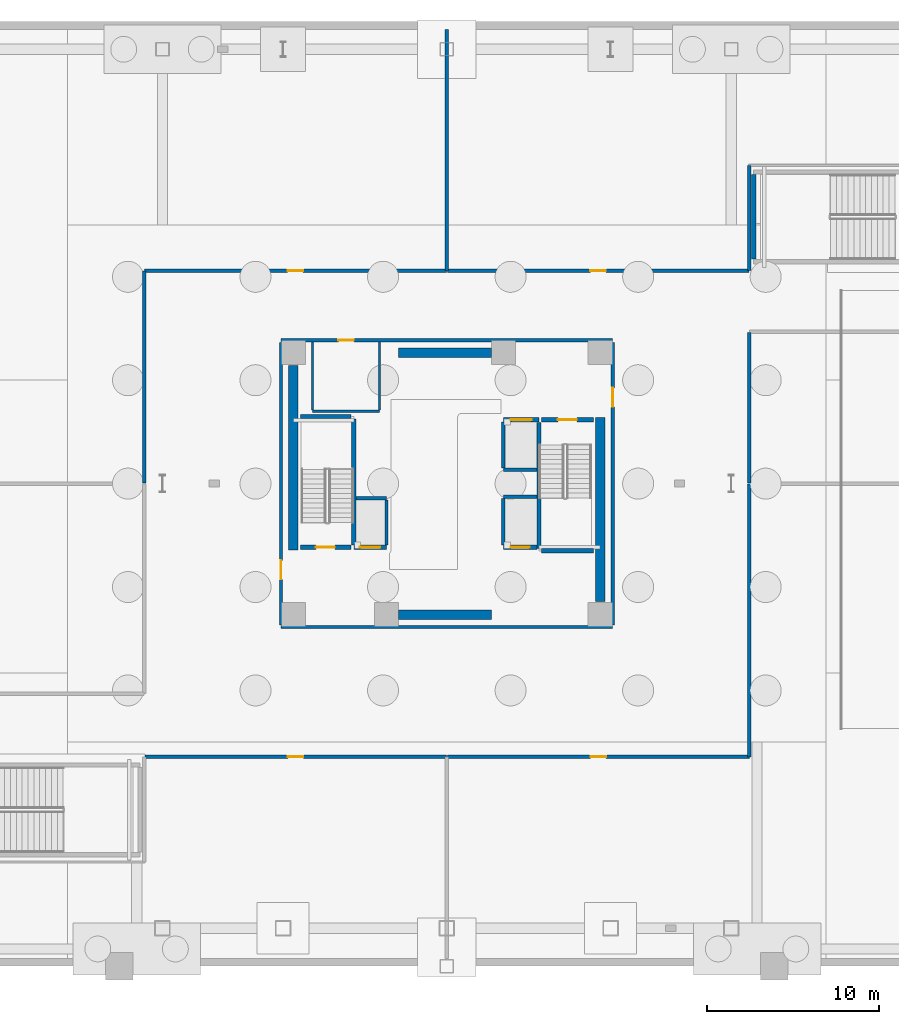
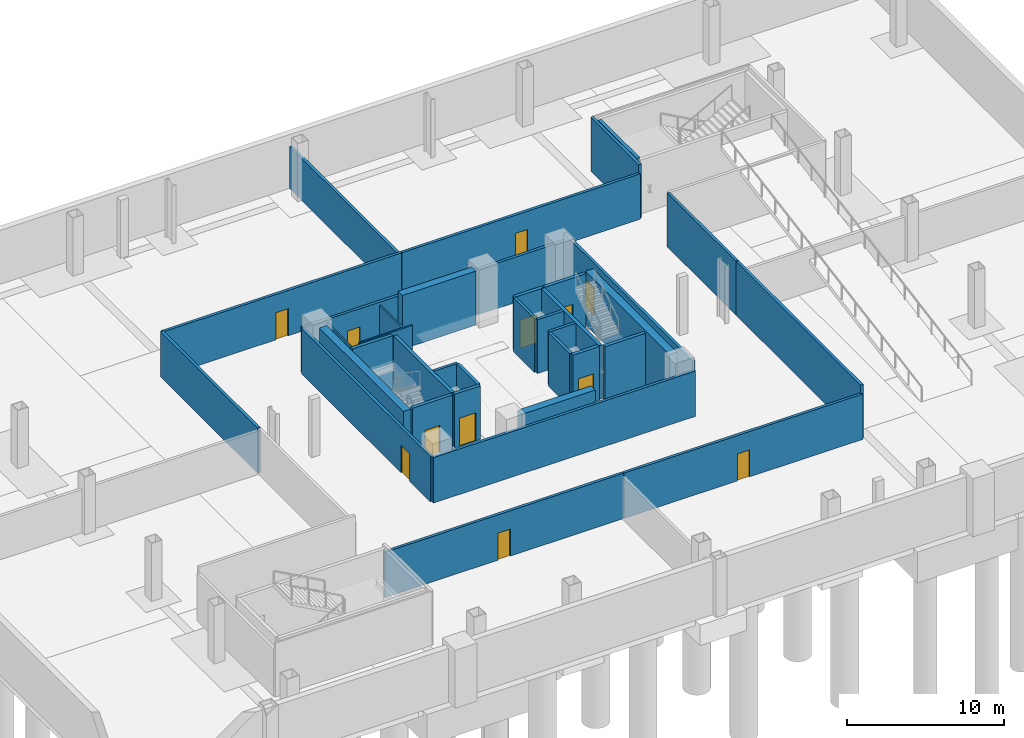
# One storey, part 8 of 15: 36 walls, 12 doors, 12 openings.
"""IFC4 building model written with IfcOpenShell, lengths in metres."""

import ifcopenshell
import ifcopenshell.guid

model = None  # the IFC model being written
_history = None  # IfcOwnerHistory: only IFC2X3 demands one
_inside = {}  # id of a spatial element -> (the spatial element, [elements in it])
_under = {}  # id of a project, library or spatial element -> (it, [spatial elements below it])
_declared = {}  # id of a project -> (the project, [libraries it declares])
_typed = {}  # id of a type object -> (the type object, [elements of that type])
_made_of = {}  # id of a material, layer set ... -> (it, [elements and type objects made of it])


def new_model(schema):
    """Start an empty IFC model of exactly this schema.

    Asked for "IFC4X3", IfcOpenShell would pick the latest addendum, in which some entities
    have other attributes; the version numbers below select the first issue.
    IFC2X3 requires an IfcOwnerHistory on every rooted entity: one is made here for all.
    """
    global model, _history
    if schema == "IFC4X3":
        model = ifcopenshell.file(schema_version=(4, 3, 0, 0))
    else:
        model = ifcopenshell.file(schema=schema)
    _inside.clear()
    _under.clear()
    _declared.clear()
    _typed.clear()
    _made_of.clear()
    _history = None
    if model.schema == "IFC2X3":
        org = make("IfcOrganization", Name="unknown")
        user = make(
            "IfcPersonAndOrganization",
            ThePerson=make("IfcPerson", FamilyName="unknown"),
            TheOrganization=org,
        )
        app = make(
            "IfcApplication",
            ApplicationDeveloper=org,
            Version="unknown",
            ApplicationFullName="unknown",
            ApplicationIdentifier="unknown",
        )
        _history = make(
            "IfcOwnerHistory",
            OwningUser=user,
            OwningApplication=app,
            ChangeAction="ADDED",
            CreationDate=0,
        )
    return model


def make(cls, **values):
    """One entity of the class cls with the attributes given. An attribute that is None is left unset."""
    return model.create_entity(
        cls, **{name: value for name, value in values.items() if value is not None}
    )


def rooted(cls, **values):
    """An entity with a GlobalId (a new one), such as an element, a storey or a relation."""
    return make(cls, GlobalId=ifcopenshell.guid.new(), OwnerHistory=_history, **values)


def si_unit(unit_type, name, prefix=None):
    """IfcSIUnit, for example si_unit("LENGTHUNIT", "METRE", prefix="MILLI")."""
    return make("IfcSIUnit", UnitType=unit_type, Prefix=prefix, Name=name)


def assignment(units):
    """IfcUnitAssignment: the units of a project."""
    return None if units is None else make("IfcUnitAssignment", Units=units)


def point(xyz):
    """IfcCartesianPoint."""
    return None if xyz is None else make("IfcCartesianPoint", Coordinates=xyz)


def direction(xyz):
    """IfcDirection."""
    return None if xyz is None else make("IfcDirection", DirectionRatios=xyz)


def frame(location, z_axis=None, x_axis=None):
    """IfcAxis2Placement3D, a coordinate frame: its origin and axes. An axis left out is left unset."""
    return make(
        "IfcAxis2Placement3D",
        Location=point(location),
        Axis=direction(z_axis),
        RefDirection=direction(x_axis),
    )


def frame_2d(location, x_axis=None):
    """IfcAxis2Placement2D, a coordinate frame in the plane: its origin and x axis."""
    return make(
        "IfcAxis2Placement2D", Location=point(location), RefDirection=direction(x_axis)
    )


def origin():
    """The frame at (0, 0, 0) with its axes left unset."""
    return frame((0.0, 0.0, 0.0))


def place(relative_to, where):
    """IfcLocalPlacement: puts the frame where relative to a parent placement (None: the world)."""
    return make(
        "IfcLocalPlacement", PlacementRelTo=relative_to, RelativePlacement=where
    )


def context(
    kind, dimensions, precision=None, world=None, true_north=None, identifier=None
):
    """IfcGeometricRepresentationContext, for example the 3D "Model" context."""
    return make(
        "IfcGeometricRepresentationContext",
        ContextIdentifier=identifier,
        ContextType=kind,
        CoordinateSpaceDimension=dimensions,
        Precision=precision,
        WorldCoordinateSystem=world,
        TrueNorth=true_north,
    )


def subcontext(parent, identifier, kind, view, scale=None):
    """IfcGeometricRepresentationSubContext, for example "Body" below "Model"."""
    return make(
        "IfcGeometricRepresentationSubContext",
        ContextIdentifier=identifier,
        ContextType=kind,
        ParentContext=parent,
        TargetScale=scale,
        TargetView=view,
    )


def project(units=None, contexts=None):
    """IfcProject with its units and contexts."""
    return rooted(
        "IfcProject",
        Name="project",
        RepresentationContexts=contexts,
        UnitsInContext=assignment(units),
    )


def spatial(cls, under=None, at=None, **own):
    """A site, building, storey or space (cls), placed at a placement, below another one or the project."""
    s = rooted(cls, ObjectPlacement=at, **own)
    if under is not None:
        _under.setdefault(under.id(), (under, []))[1].append(s)
    return s


def profile(cls, at=None, kind="AREA", **sizes):
    """A parametric profile (cls). Its sizes go by their IFC names, for example OverallWidth=200.0."""
    return make(cls, ProfileType=kind, Position=at, **sizes)


def rectangle(**sizes):
    """IfcRectangleProfileDef."""
    return profile("IfcRectangleProfileDef", **sizes)


def extrude(swept, where, along, depth):
    """IfcExtrudedAreaSolid: the profile swept, set in the frame where, extruded along a direction by depth."""
    return make(
        "IfcExtrudedAreaSolid",
        SweptArea=swept,
        Position=where,
        ExtrudedDirection=direction(along),
        Depth=depth,
    )


def shape(context_of_items, identifier, shape_type, items):
    """IfcShapeRepresentation: the items that make up one representation, for example the "Body"."""
    return make(
        "IfcShapeRepresentation",
        ContextOfItems=context_of_items,
        RepresentationIdentifier=identifier,
        RepresentationType=shape_type,
        Items=items,
    )


def material(Name=None, Category=None):
    """IfcMaterial."""
    return make("IfcMaterial", Name=Name, Category=Category)


def layer(
    of_material, thickness, ventilated=None, Name=None, Category=None, Priority=None
):
    """IfcMaterialLayer: one layer of a wall or slab, of a material (None: an air gap)."""
    return make(
        "IfcMaterialLayer",
        Material=of_material,
        LayerThickness=thickness,
        IsVentilated=ventilated,
        Name=Name,
        Category=Category,
        Priority=Priority,
    )


def layer_set(layers, Name=None):
    """IfcMaterialLayerSet."""
    return make("IfcMaterialLayerSet", MaterialLayers=layers, LayerSetName=Name)


def made_of(thing, what):
    """Note that an element or type object is made of a material, layer set ...; save() writes the relation."""
    if what is not None:
        _made_of.setdefault(what.id(), (what, []))[1].append(thing)
    return thing


def type_object(cls, material=None, **own):
    """A type object (cls), such as IfcWallType, which elements share."""
    return made_of(rooted(cls, **own), material)


def element(
    cls,
    number,
    at=None,
    inside=None,
    cuts=None,
    type_object=None,
    material=None,
    context=None,
    identifier="Body",
    shape_type=None,
    held_by="IfcProductDefinitionShape",
    body=None,
    shapes=None,
    **own,
):
    """One element of the class cls, such as IfcWall. Its Tag is "e" and its number.

    at: its placement. inside: the storey or other place that contains it. cuts: it is an
    opening in that element (IfcRelVoidsElement). A single representation is given by context,
    identifier, shape_type and body (its items); several are given by shapes. held_by: the class
    of the entity that holds the representations. save() writes the other relations.
    """
    e = rooted(cls, Tag="e%d" % number, ObjectPlacement=at, **own)
    if body is not None:
        shapes = [shape(context, identifier, shape_type, body)]
    if shapes is not None:
        e.Representation = make(held_by, Representations=shapes)
    if inside is not None:
        _inside.setdefault(inside.id(), (inside, []))[1].append(e)
    if cuts is not None:
        rooted(
            "IfcRelVoidsElement", RelatingBuildingElement=cuts, RelatedOpeningElement=e
        )
    if type_object is not None:
        _typed.setdefault(type_object.id(), (type_object, []))[1].append(e)
    return made_of(e, material)


def fill(opening, filler):
    """IfcRelFillsElement: the door or window that sits in an opening."""
    return rooted(
        "IfcRelFillsElement",
        RelatingOpeningElement=opening,
        RelatedBuildingElement=filler,
    )


def aggregate(whole, parts):
    """IfcRelAggregates: a whole, such as a stair, and the parts it consists of."""
    return rooted("IfcRelAggregates", RelatingObject=whole, RelatedObjects=parts)


def save(model, path):
    """Write the relations noted so far, then the file.

    IfcRelAggregates (storeys below a building ...), IfcRelContainedInSpatialStructure (elements
    in a storey), IfcRelDefinesByType, IfcRelAssociatesMaterial and IfcRelDeclares: one each for
    every whole, place, type object, material and project.
    """
    for whole, parts in _under.values():
        aggregate(whole, parts)
    for where, things in _inside.values():
        rooted(
            "IfcRelContainedInSpatialStructure",
            RelatedElements=things,
            RelatingStructure=where,
        )
    for kind, things in _typed.values():
        rooted("IfcRelDefinesByType", RelatedObjects=things, RelatingType=kind)
    for what, things in _made_of.values():
        rooted("IfcRelAssociatesMaterial", RelatedObjects=things, RelatingMaterial=what)
    for by, libraries in _declared.values():
        rooted("IfcRelDeclares", RelatingContext=by, RelatedDefinitions=libraries)
    model.write(path)


model = new_model("IFC4")

# Units and contexts
model_context = context("Model", 3, precision=1e-05, world=origin(), true_north=direction((0.0, 1.0)))
body_context = subcontext(model_context, "Body", "Model", "MODEL_VIEW")
ifc_project = project(units=[si_unit("LENGTHUNIT", "METRE"), si_unit("AREAUNIT", "SQUARE_METRE"), si_unit("VOLUMEUNIT", "CUBIC_METRE"), si_unit("PLANEANGLEUNIT", "RADIAN"), si_unit("MASSUNIT", "GRAM", prefix="KILO")], contexts=[model_context])

# Site, building, storey
site_placement = place(None, origin())
site = spatial("IfcSite", under=ifc_project, at=site_placement, CompositionType="ELEMENT")
building_placement = place(site_placement, origin())
building = spatial("IfcBuilding", under=site, at=building_placement, Name="Tharavind Bronze Gate", CompositionType="ELEMENT")
storey_placement = place(building_placement, frame((0.0, 0.0, -9.0)))
storey = spatial("IfcBuildingStorey", under=building, at=storey_placement, Name="B02", CompositionType="ELEMENT", Elevation=-9.0)

# Wall
ifc_material_1 = material(Name="Aerated Concrete Block", Category="concrete")
ifc_layer_1 = layer(ifc_material_1, 0.199951171875)
ifc_layer_set_1 = layer_set([ifc_layer_1], Name="Aerated Concrete Block")
wall_type_1 = type_object("IfcWallType", Name="FIRE RATED PARTITION 200", PredefinedType="PARTITIONING", material=ifc_layer_set_1)
wall_1_placement = place(storey_placement, frame((-9.6201171875, -8.320068359375, 0.0), z_axis=(0.0, 0.0, 1.0), x_axis=(1.0, 0.0, 0.0)))
element("IfcWall", 1, at=wall_1_placement, inside=storey, type_object=wall_type_1, Name="B02 south core corridor wall", PredefinedType="PARTITIONING", context=body_context, shape_type="SweptSolid", body=[
    extrude(rectangle(XDim=19.240234375, YDim=0.199951171875, at=frame_2d((9.6201171875, 0.0))), origin(), (0.0, 0.0, 1.0), 3.52001953125),
])

# Wall, opening, door
wall_2_placement = place(storey_placement, frame((9.6201171875, 8.320068359375, 0.0), z_axis=(0.0, 0.0, 1.0), x_axis=(-1.0, 0.0, 0.0)))
wall_2 = element("IfcWall", 2, at=wall_2_placement, inside=storey, type_object=wall_type_1, Name="B02 north core corridor wall", PredefinedType="PARTITIONING", context=body_context, shape_type="SweptSolid", body=[
    extrude(rectangle(XDim=19.240234375, YDim=0.199951171875, at=frame_2d((9.6201171875, 0.0))), origin(), (0.0, 0.0, 1.0), 3.52001953125),
])
opening_1_placement = place(wall_2_placement, frame((15.02001953125, 0.0, 0.0)))
opening_1 = element("IfcOpeningElement", 3, at=opening_1_placement, cuts=wall_2, Name="Opening ID07", PredefinedType="OPENING", context=body_context, shape_type="SweptSolid", body=[
    extrude(rectangle(XDim=0.89990234375, YDim=2.10009765625, at=frame_2d((0.449951171875, 1.050048828125))), frame((0.0, 0.11009765625, 0.0), z_axis=(0.0, -1.0, 0.0), x_axis=(1.0, 0.0, 0.0)), (0.0, 0.0, 1.0), 0.219951171875),
])
ifc_material_2 = material(Name="Galvanised Fire Steel", Category="steel")
door_type_1 = type_object("IfcDoorType", Name="PLANT AND RISER FIRE DOOR 900X2100", OperationType="SINGLE_SWING_LEFT", PredefinedType="DOOR", material=ifc_material_2)
door_1_placement = place(opening_1_placement, frame((0.89990234375, 0.0, 0.0), z_axis=(0.0, 0.0, 1.0), x_axis=(-1.0, 0.0, 0.0)))
door_1 = element("IfcDoor", 4, at=door_1_placement, inside=storey, type_object=door_type_1, Name="B02 Electrical Switch Room fire door", OperationType="SINGLE_SWING_LEFT", OverallHeight=2.10009765625, OverallWidth=0.89990234375, PredefinedType="DOOR", context=body_context, shape_type="SweptSolid", body=[
    extrude(rectangle(XDim=0.89990234375, YDim=2.10009765625, at=frame_2d((0.449951171875, 1.050048828125))), frame((0.0, 0.02490234375, 0.0), z_axis=(0.0, -1.0, 0.0), x_axis=(1.0, 0.0, 0.0)), (0.0, 0.0, 1.0), 0.050048828125),
])
fill(opening_1, door_1)

wall_3_placement = place(storey_placement, frame((-9.6201171875, 8.199951171875, 0.0), z_axis=(0.0, 0.0, 1.0), x_axis=(0.0, -1.0, 0.0)))
wall_3 = element("IfcWall", 5, at=wall_3_placement, inside=storey, type_object=wall_type_1, Name="B02 west core corridor wall", PredefinedType="PARTITIONING", context=body_context, shape_type="SweptSolid", body=[
    extrude(rectangle(XDim=16.39990234375, YDim=0.199951171875, at=frame_2d((8.199951171875, 0.0))), origin(), (0.0, 0.0, 1.0), 3.52001953125),
])
opening_2_placement = place(wall_3_placement, frame((12.64990234375, 0.0, 0.0)))
opening_2 = element("IfcOpeningElement", 6, at=opening_2_placement, cuts=wall_3, Name="Opening ID01", PredefinedType="OPENING", context=body_context, shape_type="SweptSolid", body=[
    extrude(rectangle(XDim=1.10009765625, YDim=2.14990234375, at=frame_2d((0.550048828125, 1.074951171875))), frame((0.0, 0.11009765625, 0.0), z_axis=(0.0, -1.0, 0.0), x_axis=(1.0, 0.0, 0.0)), (0.0, 0.0, 1.0), 0.219951171875),
])
ifc_material_3 = material(Name="Fire-Rated Steel", Category="steel")
door_type_2 = type_object("IfcDoorType", Name="STAIR CORE FIRE DOOR 1100X2150", OperationType="SINGLE_SWING_LEFT", PredefinedType="DOOR", material=ifc_material_3)
door_2_placement = place(opening_2_placement, frame((1.10009765625, 0.0, 0.0), z_axis=(0.0, 0.0, 1.0), x_axis=(-1.0, 0.0, 0.0)))
door_2 = element("IfcDoor", 7, at=door_2_placement, inside=storey, type_object=door_type_2, Name="B02 south west stair lobby fire door", OperationType="SINGLE_SWING_LEFT", OverallHeight=2.14990234375, OverallWidth=1.10009765625, PredefinedType="DOOR", context=body_context, shape_type="SweptSolid", body=[
    extrude(rectangle(XDim=1.10009765625, YDim=2.14990234375, at=frame_2d((0.550048828125, 1.074951171875))), frame((0.0, 0.02490234375, 0.0), z_axis=(0.0, -1.0, 0.0), x_axis=(1.0, 0.0, 0.0)), (0.0, 0.0, 1.0), 0.050048828125),
])
fill(opening_2, door_2)

wall_4_placement = place(storey_placement, frame((9.6201171875, -8.199951171875, 0.0), z_axis=(0.0, 0.0, 1.0), x_axis=(0.0, 1.0, 0.0)))
wall_4 = element("IfcWall", 8, at=wall_4_placement, inside=storey, type_object=wall_type_1, Name="B02 east core corridor wall", PredefinedType="PARTITIONING", context=body_context, shape_type="SweptSolid", body=[
    extrude(rectangle(XDim=16.39990234375, YDim=0.199951171875, at=frame_2d((8.199951171875, 0.0))), origin(), (0.0, 0.0, 1.0), 4.175048828125),
])
opening_3_placement = place(wall_4_placement, frame((12.64990234375, 0.0, 0.0)))
opening_3 = element("IfcOpeningElement", 9, at=opening_3_placement, cuts=wall_4, Name="Opening ID01", PredefinedType="OPENING", context=body_context, shape_type="SweptSolid", body=[
    extrude(rectangle(XDim=1.10009765625, YDim=2.14990234375, at=frame_2d((0.550048828125, 1.074951171875))), frame((0.0, 0.11009765625, 0.0), z_axis=(0.0, -1.0, 0.0), x_axis=(1.0, 0.0, 0.0)), (0.0, 0.0, 1.0), 0.219951171875),
])
door_3_placement = place(opening_3_placement, frame((1.10009765625, 0.0, 0.0), z_axis=(0.0, 0.0, 1.0), x_axis=(-1.0, 0.0, 0.0)))
door_3 = element("IfcDoor", 10, at=door_3_placement, inside=storey, type_object=door_type_2, Name="B02 north east stair lobby fire door", OperationType="SINGLE_SWING_LEFT", OverallHeight=2.14990234375, OverallWidth=1.10009765625, PredefinedType="DOOR", context=body_context, shape_type="SweptSolid", body=[
    extrude(rectangle(XDim=1.10009765625, YDim=2.14990234375, at=frame_2d((0.550048828125, 1.074951171875))), frame((0.0, 0.02490234375, 0.0), z_axis=(0.0, -1.0, 0.0), x_axis=(1.0, 0.0, 0.0)), (0.0, 0.0, 1.0), 0.050048828125),
])
fill(opening_3, door_3)

# Wall
wall_5_placement = place(storey_placement, frame((17.550048828125, 18.449462890625, 0.0), z_axis=(0.0, 0.0, 1.0), x_axis=(0.0, -1.0, 0.0)))
element("IfcWall", 11, at=wall_5_placement, inside=storey, type_object=wall_type_1, Name="B02 Chiller & Heat Rejection Plant Hall partition", PredefinedType="PARTITIONING", context=body_context, shape_type="SweptSolid", body=[
    extrude(rectangle(XDim=6.074462890625, YDim=0.199951171875, at=frame_2d((3.037109375, 0.0))), origin(), (0.0, 0.0, 1.0), 4.175048828125),
])

# Wall, opening, door
wall_6_placement = place(storey_placement, frame((17.52490234375, 12.35009765625, 0.0), z_axis=(0.0, 0.0, 1.0), x_axis=(-1.0, 0.0, 0.0)))
wall_6 = element("IfcWall", 12, at=wall_6_placement, inside=storey, type_object=wall_type_1, Name="B02 Chiller & Heat Rejection Plant Hall partition", PredefinedType="PARTITIONING", context=body_context, shape_type="SweptSolid", body=[
    extrude(rectangle(XDim=17.5, YDim=0.199951171875, at=frame_2d((8.75, 0.0))), origin(), (0.0, 0.0, 1.0), 3.52001953125),
])
opening_4_placement = place(wall_6_placement, frame((8.300048828125, 0.0, 0.0)))
opening_4 = element("IfcOpeningElement", 13, at=opening_4_placement, cuts=wall_6, Name="Opening ID07", PredefinedType="OPENING", context=body_context, shape_type="SweptSolid", body=[
    extrude(rectangle(XDim=0.89990234375, YDim=2.10009765625, at=frame_2d((0.449951171875, 1.050048828125))), frame((0.0, 0.11009765625, 0.0), z_axis=(0.0, -1.0, 0.0), x_axis=(1.0, 0.0, 0.0)), (0.0, 0.0, 1.0), 0.219951171875),
])
door_4_placement = place(opening_4_placement, origin())
door_4 = element("IfcDoor", 14, at=door_4_placement, inside=storey, type_object=door_type_1, Name="B02 Chiller & Heat Rejection Plant Hall door", OperationType="SINGLE_SWING_LEFT", OverallHeight=2.10009765625, OverallWidth=0.89990234375, PredefinedType="DOOR", context=body_context, shape_type="SweptSolid", body=[
    extrude(rectangle(XDim=0.89990234375, YDim=2.10009765625, at=frame_2d((0.449951171875, 1.050048828125))), frame((0.0, 0.02490234375, 0.0), z_axis=(0.0, -1.0, 0.0), x_axis=(1.0, 0.0, 0.0)), (0.0, 0.0, 1.0), 0.050048828125),
])
fill(opening_4, door_4)

# Walls
wall_7_placement = place(storey_placement, frame((0.0, 12.375, 0.0), z_axis=(0.0, 0.0, 1.0), x_axis=(0.0, 1.0, 0.0)))
element("IfcWall", 15, at=wall_7_placement, inside=storey, type_object=wall_type_1, Name="B02 Chiller & Heat Rejection Plant Hall partition", PredefinedType="PARTITIONING", context=body_context, shape_type="SweptSolid", body=[
    extrude(rectangle(XDim=13.969970703125, YDim=0.199951171875, at=frame_2d((6.98486328125, 0.0))), origin(), (0.0, 0.0, 1.0), 3.27001953125),
])
wall_8_placement = place(storey_placement, frame((17.550048828125, 0.02490234375, 0.0), z_axis=(0.0, 0.0, 1.0), x_axis=(0.0, 1.0, 0.0)))
element("IfcWall", 16, at=wall_8_placement, inside=storey, type_object=wall_type_1, Name="B02 Chiller & Heat Rejection Plant Hall partition", PredefinedType="PARTITIONING", context=body_context, shape_type="SweptSolid", body=[
    extrude(rectangle(XDim=8.75, YDim=0.199951171875, at=frame_2d((4.375, 0.0))), origin(), (0.0, 0.0, 1.0), 4.175048828125),
])

# Wall, opening, door
wall_9_placement = place(storey_placement, frame((-0.02490234375, 12.35009765625, 0.0), z_axis=(0.0, 0.0, 1.0), x_axis=(-1.0, 0.0, 0.0)))
wall_9 = element("IfcWall", 17, at=wall_9_placement, inside=storey, type_object=wall_type_1, Name="B02 HV Transformer & Substation Room partition", PredefinedType="PARTITIONING", context=body_context, shape_type="SweptSolid", body=[
    extrude(rectangle(XDim=17.5244140625, YDim=0.199951171875, at=frame_2d((8.76220703125, 0.0))), origin(), (0.0, 0.0, 1.0), 3.52001953125),
])
opening_5_placement = place(wall_9_placement, frame((8.31201171875, 0.0, 0.0)))
opening_5 = element("IfcOpeningElement", 18, at=opening_5_placement, cuts=wall_9, Name="Opening ID07", PredefinedType="OPENING", context=body_context, shape_type="SweptSolid", body=[
    extrude(rectangle(XDim=0.89990234375, YDim=2.10009765625, at=frame_2d((0.449951171875, 1.050048828125))), frame((0.0, 0.11009765625, 0.0), z_axis=(0.0, -1.0, 0.0), x_axis=(1.0, 0.0, 0.0)), (0.0, 0.0, 1.0), 0.219951171875),
])
door_5_placement = place(opening_5_placement, origin())
door_5 = element("IfcDoor", 19, at=door_5_placement, inside=storey, type_object=door_type_1, Name="B02 HV Transformer & Substation Room door", OperationType="SINGLE_SWING_LEFT", OverallHeight=2.10009765625, OverallWidth=0.89990234375, PredefinedType="DOOR", context=body_context, shape_type="SweptSolid", body=[
    extrude(rectangle(XDim=0.89990234375, YDim=2.10009765625, at=frame_2d((0.449951171875, 1.050048828125))), frame((0.0, 0.02490234375, 0.0), z_axis=(0.0, -1.0, 0.0), x_axis=(1.0, 0.0, 0.0)), (0.0, 0.0, 1.0), 0.050048828125),
])
fill(opening_5, door_5)

# Wall
wall_10_placement = place(storey_placement, frame((-17.550048828125, 12.349365234375, 0.0), z_axis=(0.0, 0.0, 1.0), x_axis=(0.0, -1.0, 0.0)))
element("IfcWall", 20, at=wall_10_placement, inside=storey, type_object=wall_type_1, Name="B02 HV Transformer & Substation Room partition", PredefinedType="PARTITIONING", context=body_context, shape_type="SweptSolid", body=[
    extrude(rectangle(XDim=12.324462890625, YDim=0.199951171875, at=frame_2d((6.162109375, 0.0))), origin(), (0.0, 0.0, 1.0), 3.52001953125),
])

# Wall, opening, door
wall_11_placement = place(storey_placement, frame((-17.52490234375, -15.85009765625, 0.0), z_axis=(0.0, 0.0, 1.0), x_axis=(1.0, 0.0, 0.0)))
wall_11 = element("IfcWall", 21, at=wall_11_placement, inside=storey, type_object=wall_type_1, Name="B02 Domestic & Fire Water Tank Hall partition", PredefinedType="PARTITIONING", context=body_context, shape_type="SweptSolid", body=[
    extrude(rectangle(XDim=17.5, YDim=0.199951171875, at=frame_2d((8.75, 0.0))), origin(), (0.0, 0.0, 1.0), 3.52001953125),
])
opening_6_placement = place(wall_11_placement, frame((8.300048828125, 0.0, 0.0)))
opening_6 = element("IfcOpeningElement", 22, at=opening_6_placement, cuts=wall_11, Name="Opening ID07", PredefinedType="OPENING", context=body_context, shape_type="SweptSolid", body=[
    extrude(rectangle(XDim=0.89990234375, YDim=2.10009765625, at=frame_2d((0.449951171875, 1.050048828125))), frame((0.0, 0.11009765625, 0.0), z_axis=(0.0, -1.0, 0.0), x_axis=(1.0, 0.0, 0.0)), (0.0, 0.0, 1.0), 0.219951171875),
])
door_6_placement = place(opening_6_placement, origin())
door_6 = element("IfcDoor", 23, at=door_6_placement, inside=storey, type_object=door_type_1, Name="B02 Domestic & Fire Water Tank Hall door", OperationType="SINGLE_SWING_LEFT", OverallHeight=2.10009765625, OverallWidth=0.89990234375, PredefinedType="DOOR", context=body_context, shape_type="SweptSolid", body=[
    extrude(rectangle(XDim=0.89990234375, YDim=2.10009765625, at=frame_2d((0.449951171875, 1.050048828125))), frame((0.0, 0.02490234375, 0.0), z_axis=(0.0, -1.0, 0.0), x_axis=(1.0, 0.0, 0.0)), (0.0, 0.0, 1.0), 0.050048828125),
])
fill(opening_6, door_6)

# Wall
wall_12_placement = place(storey_placement, frame((17.550048828125, -15.849365234375, 0.0), z_axis=(0.0, 0.0, 1.0), x_axis=(0.0, 1.0, 0.0)))
element("IfcWall", 24, at=wall_12_placement, inside=storey, type_object=wall_type_1, Name="B02 Emergency Generator Plant Room partition", PredefinedType="PARTITIONING", context=body_context, shape_type="SweptSolid", body=[
    extrude(rectangle(XDim=15.824462890625, YDim=0.199951171875, at=frame_2d((7.912109375, 0.0))), origin(), (0.0, 0.0, 1.0), 4.175048828125),
])

# Wall, opening, door
wall_13_placement = place(storey_placement, frame((0.02490234375, -15.85009765625, 0.0), z_axis=(0.0, 0.0, 1.0), x_axis=(1.0, 0.0, 0.0)))
wall_13 = element("IfcWall", 25, at=wall_13_placement, inside=storey, type_object=wall_type_1, Name="B02 Emergency Generator Plant Room partition", PredefinedType="PARTITIONING", context=body_context, shape_type="SweptSolid", body=[
    extrude(rectangle(XDim=17.5244140625, YDim=0.199951171875, at=frame_2d((8.76220703125, 0.0))), origin(), (0.0, 0.0, 1.0), 3.52001953125),
])
opening_7_placement = place(wall_13_placement, frame((8.31201171875, 0.0, 0.0)))
opening_7 = element("IfcOpeningElement", 26, at=opening_7_placement, cuts=wall_13, Name="Opening ID07", PredefinedType="OPENING", context=body_context, shape_type="SweptSolid", body=[
    extrude(rectangle(XDim=0.89990234375, YDim=2.10009765625, at=frame_2d((0.449951171875, 1.050048828125))), frame((0.0, 0.11009765625, 0.0), z_axis=(0.0, -1.0, 0.0), x_axis=(1.0, 0.0, 0.0)), (0.0, 0.0, 1.0), 0.219951171875),
])
door_7_placement = place(opening_7_placement, origin())
door_7 = element("IfcDoor", 27, at=door_7_placement, inside=storey, type_object=door_type_1, Name="B02 Emergency Generator Plant Room door", OperationType="SINGLE_SWING_LEFT", OverallHeight=2.10009765625, OverallWidth=0.89990234375, PredefinedType="DOOR", context=body_context, shape_type="SweptSolid", body=[
    extrude(rectangle(XDim=0.89990234375, YDim=2.10009765625, at=frame_2d((0.449951171875, 1.050048828125))), frame((0.0, 0.02490234375, 0.0), z_axis=(0.0, -1.0, 0.0), x_axis=(1.0, 0.0, 0.0)), (0.0, 0.0, 1.0), 0.050048828125),
])
fill(opening_7, door_7)

# Walls
ifc_material_4 = material(Name="Metal Stud Gypsum Partition", Category="gypsum")
ifc_layer_2 = layer(ifc_material_4, 0.1201171875)
ifc_layer_set_2 = layer_set([ifc_layer_2], Name="Metal Stud Gypsum Partition")
wall_type_2 = type_object("IfcWallType", Name="INTERIOR PARTITION WALL 120", PredefinedType="PARTITIONING", material=ifc_layer_set_2)
wall_14_placement = place(storey_placement, frame((-7.800048828125, 4.199951171875, 0.0), z_axis=(0.0, 0.0, 1.0), x_axis=(1.0, 0.0, 0.0)))
element("IfcWall", 28, at=wall_14_placement, inside=storey, type_object=wall_type_2, Name="B02 Electrical Switch Room partition 1", PredefinedType="PARTITIONING", context=body_context, shape_type="SweptSolid", body=[
    extrude(rectangle(XDim=3.900146484375, YDim=0.1201171875, at=frame_2d((1.9501953125, 0.0))), origin(), (0.0, 0.0, 1.0), 4.175048828125),
])
for number, where, z_axis, x_axis, name in (
    (29, (-3.89990234375, 4.264892578125, 0.0), (0.0, 0.0, 1.0), (0.0, 1.0, 0.0), "B02 Electrical Switch Room partition 2"),
    (30, (-7.800048828125, 8.215087890625, 0.0), (0.0, 0.0, 1.0), (0.0, -1.0, 0.0), "B02 Electrical Switch Room partition 4"),
):
    element("IfcWall", number, at=place(storey_placement, frame(where, z_axis=z_axis, x_axis=x_axis)), inside=storey, type_object=wall_type_2, Name=name, PredefinedType="PARTITIONING", context=body_context, shape_type="SweptSolid", body=[
        extrude(rectangle(XDim=3.9501953125, YDim=0.1201171875, at=frame_2d((1.97509765625, 0.0))), origin(), (0.0, 0.0, 1.0), 3.27001953125),
    ])
ifc_material_5 = material(Name="Concrete C50/60", Category="concrete")
ifc_layer_3 = layer(ifc_material_5, 0.25)
ifc_layer_set_3 = layer_set([ifc_layer_3], Name="Concrete C50/60")
wall_type_3 = type_object("IfcWallType", Name="RC CORE SHEAR WALL 250", PredefinedType="SHEAR", material=ifc_layer_set_3)
wall_15_placement = place(storey_placement, frame((-5.39990234375, -3.550048828125, 0.0), z_axis=(0.0, 0.0, 1.0), x_axis=(0.0, 1.0, 0.0)))
element("IfcWall", 31, at=wall_15_placement, inside=storey, type_object=wall_type_3, Name="B02 ST1 shaft east wall", PredefinedType="SHEAR", context=body_context, shape_type="SweptSolid", body=[
    extrude(rectangle(XDim=7.300048828125, YDim=0.25, at=frame_2d((3.64990234375, 0.0))), origin(), (0.0, 0.0, 1.0), 4.175048828125),
])

# Wall, opening, door
wall_16_placement = place(storey_placement, frame((-8.5, -3.699951171875, 0.0), z_axis=(0.0, 0.0, 1.0), x_axis=(1.0, 0.0, 0.0)))
wall_16 = element("IfcWall", 32, at=wall_16_placement, inside=storey, type_object=wall_type_3, Name="B02 ST1 shaft south wall", PredefinedType="SHEAR", context=body_context, shape_type="SweptSolid", body=[
    extrude(rectangle(XDim=2.949951171875, YDim=0.25, at=frame_2d((1.47509765625, 0.0))), origin(), (0.0, 0.0, 1.0), 4.175048828125),
])
opening_8_placement = place(wall_16_placement, frame((0.89990234375, 0.0, 0.0)))
opening_8 = element("IfcOpeningElement", 33, at=opening_8_placement, cuts=wall_16, Name="Opening ID01", PredefinedType="OPENING", context=body_context, shape_type="SweptSolid", body=[
    extrude(rectangle(XDim=1.10009765625, YDim=2.14990234375, at=frame_2d((0.550048828125, 1.074951171875))), frame((0.0, 0.135, 0.0), z_axis=(0.0, -1.0, 0.0), x_axis=(1.0, 0.0, 0.0)), (0.0, 0.0, 1.0), 0.27),
])
door_8_placement = place(opening_8_placement, origin())
door_8 = element("IfcDoor", 34, at=door_8_placement, inside=storey, type_object=door_type_2, Name="B02 exit stair ST1 fire door", OperationType="SINGLE_SWING_LEFT", OverallHeight=2.14990234375, OverallWidth=1.10009765625, PredefinedType="DOOR", context=body_context, shape_type="SweptSolid", body=[
    extrude(rectangle(XDim=1.10009765625, YDim=2.14990234375, at=frame_2d((0.550048828125, 1.074951171875))), frame((0.0, 0.02490234375, 0.0), z_axis=(0.0, -1.0, 0.0), x_axis=(1.0, 0.0, 0.0)), (0.0, 0.0, 1.0), 0.050048828125),
])
fill(opening_8, door_8)

# Walls
wall_17_placement = place(storey_placement, frame((-8.5, 3.89990234375, 0.0), z_axis=(0.0, 0.0, 1.0), x_axis=(1.0, 0.0, 0.0)))
element("IfcWall", 35, at=wall_17_placement, inside=storey, type_object=wall_type_3, Name="B02 ST1 shaft north wall", PredefinedType="SHEAR", context=body_context, shape_type="SweptSolid", body=[
    extrude(rectangle(XDim=2.949951171875, YDim=0.25, at=frame_2d((1.47509765625, 0.0))), origin(), (0.0, 0.0, 1.0), 4.175048828125),
])
wall_18_placement = place(storey_placement, frame((5.35009765625, -3.75, 0.0), z_axis=(0.0, 0.0, 1.0), x_axis=(0.0, 1.0, 0.0)))
element("IfcWall", 36, at=wall_18_placement, inside=storey, type_object=wall_type_3, Name="B02 ST2 shaft west wall", PredefinedType="SHEAR", context=body_context, shape_type="SweptSolid", body=[
    extrude(rectangle(XDim=7.300048828125, YDim=0.25, at=frame_2d((3.64990234375, 0.0))), origin(), (0.0, 0.0, 1.0), 4.175048828125),
])

# Wall, opening, door
wall_19_placement = place(storey_placement, frame((5.5, 3.699951171875, 0.0), z_axis=(0.0, 0.0, 1.0), x_axis=(1.0, 0.0, 0.0)))
wall_19 = element("IfcWall", 37, at=wall_19_placement, inside=storey, type_object=wall_type_3, Name="B02 ST2 shaft north wall", PredefinedType="SHEAR", context=body_context, shape_type="SweptSolid", body=[
    extrude(rectangle(XDim=3.0, YDim=0.25, at=frame_2d((1.5, 0.0))), origin(), (0.0, 0.0, 1.0), 4.175048828125),
])
opening_9_placement = place(wall_19_placement, frame((0.949951171875, 0.0, 0.0)))
opening_9 = element("IfcOpeningElement", 38, at=opening_9_placement, cuts=wall_19, Name="Opening ID01", PredefinedType="OPENING", context=body_context, shape_type="SweptSolid", body=[
    extrude(rectangle(XDim=1.10009765625, YDim=2.14990234375, at=frame_2d((0.550048828125, 1.074951171875))), frame((0.0, 0.135, 0.0), z_axis=(0.0, -1.0, 0.0), x_axis=(1.0, 0.0, 0.0)), (0.0, 0.0, 1.0), 0.27),
])
door_9_placement = place(opening_9_placement, frame((1.10009765625, 0.0, 0.0), z_axis=(0.0, 0.0, 1.0), x_axis=(-1.0, 0.0, 0.0)))
door_9 = element("IfcDoor", 39, at=door_9_placement, inside=storey, type_object=door_type_2, Name="B02 exit stair ST2 fire door", OperationType="SINGLE_SWING_LEFT", OverallHeight=2.14990234375, OverallWidth=1.10009765625, PredefinedType="DOOR", context=body_context, shape_type="SweptSolid", body=[
    extrude(rectangle(XDim=1.10009765625, YDim=2.14990234375, at=frame_2d((0.550048828125, 1.074951171875))), frame((0.0, 0.02490234375, 0.0), z_axis=(0.0, -1.0, 0.0), x_axis=(1.0, 0.0, 0.0)), (0.0, 0.0, 1.0), 0.050048828125),
])
fill(opening_9, door_9)

# Walls
wall_20_placement = place(storey_placement, frame((5.5, -3.89990234375, 0.0), z_axis=(0.0, 0.0, 1.0), x_axis=(1.0, 0.0, 0.0)))
element("IfcWall", 40, at=wall_20_placement, inside=storey, type_object=wall_type_3, Name="B02 ST2 shaft south wall", PredefinedType="SHEAR", context=body_context, shape_type="SweptSolid", body=[
    extrude(rectangle(XDim=3.0, YDim=0.25, at=frame_2d((1.5, 0.0))), origin(), (0.0, 0.0, 1.0), 4.175048828125),
])
wall_21_placement = place(storey_placement, frame((17.800048828125, 13.02001953125, 0.0), z_axis=(0.0, 0.0, 1.0), x_axis=(0.0, 1.0, 0.0)))
element("IfcWall", 41, at=wall_21_placement, inside=storey, type_object=wall_type_3, Name="B02 ST4 west wall", PredefinedType="SHEAR", context=body_context, shape_type="SweptSolid", body=[
    extrude(rectangle(XDim=4.909912109375, YDim=0.25, at=frame_2d((2.455078125, 0.0))), origin(), (0.0, 0.0, 1.0), 4.175048828125),
])

# Wall, opening, door
wall_22_placement = place(storey_placement, frame((-5.39990234375, -3.699951171875, 0.0), z_axis=(0.0, 0.0, 1.0), x_axis=(1.0, 0.0, 0.0)))
wall_22 = element("IfcWall", 42, at=wall_22_placement, inside=storey, type_object=wall_type_3, Name="B02 lift FFL1 shaft front wall", PredefinedType="SHEAR", context=body_context, shape_type="SweptSolid", body=[
    extrude(rectangle(XDim=1.89990234375, YDim=0.25, at=frame_2d((0.949951171875, 0.0))), origin(), (0.0, 0.0, 1.0), 4.175048828125),
])
opening_10_placement = place(wall_22_placement, frame((0.35009765625, 0.0, 0.0)))
opening_10 = element("IfcOpeningElement", 43, at=opening_10_placement, cuts=wall_22, Name="Opening LD02", PredefinedType="OPENING", context=body_context, shape_type="SweptSolid", body=[
    extrude(rectangle(XDim=1.199951171875, YDim=2.199951171875, at=frame_2d((0.60009765625, 1.10009765625))), frame((0.0, 0.135, 0.0), z_axis=(0.0, -1.0, 0.0), x_axis=(1.0, 0.0, 0.0)), (0.0, 0.0, 1.0), 0.27),
])
ifc_material_6 = material(Name="Brushed Stainless Steel", Category="steel")
door_type_3 = type_object("IfcDoorType", Name="FIREFIGHTING LIFT LANDING DOOR 1200X2200", OperationType="SLIDING_TO_RIGHT", PredefinedType="DOOR", material=ifc_material_6)
door_10_placement = place(opening_10_placement, origin())
door_10 = element("IfcDoor", 44, at=door_10_placement, inside=storey, type_object=door_type_3, Name="B02 lift FFL1 sliding landing door", OperationType="SLIDING_TO_RIGHT", OverallHeight=2.199951171875, OverallWidth=1.199951171875, PredefinedType="DOOR", context=body_context, shape_type="SweptSolid", body=[
    extrude(rectangle(XDim=1.199951171875, YDim=2.199951171875, at=frame_2d((0.60009765625, 1.10009765625))), frame((0.0, 0.02490234375, 0.0), z_axis=(0.0, -1.0, 0.0), x_axis=(1.0, 0.0, 0.0)), (0.0, 0.0, 1.0), 0.050048828125),
])
fill(opening_10, door_10)

wall_23_placement = place(storey_placement, frame((3.280029296875, 3.699951171875, 0.0), z_axis=(0.0, 0.0, 1.0), x_axis=(1.0, 0.0, 0.0)))
wall_23 = element("IfcWall", 45, at=wall_23_placement, inside=storey, type_object=wall_type_3, Name="B02 lift FFL2 shaft front wall", PredefinedType="SHEAR", context=body_context, shape_type="SweptSolid", body=[
    extrude(rectangle(XDim=2.070068359375, YDim=0.25, at=frame_2d((1.03515625, 0.0))), origin(), (0.0, 0.0, 1.0), 4.175048828125),
])
opening_11_placement = place(wall_23_placement, frame((0.43505859375, 0.0, 0.0)))
opening_11 = element("IfcOpeningElement", 46, at=opening_11_placement, cuts=wall_23, Name="Opening LD02", PredefinedType="OPENING", context=body_context, shape_type="SweptSolid", body=[
    extrude(rectangle(XDim=1.199951171875, YDim=2.199951171875, at=frame_2d((0.60009765625, 1.10009765625))), frame((0.0, 0.135, 0.0), z_axis=(0.0, -1.0, 0.0), x_axis=(1.0, 0.0, 0.0)), (0.0, 0.0, 1.0), 0.27),
])
door_11_placement = place(opening_11_placement, origin())
door_11 = element("IfcDoor", 47, at=door_11_placement, inside=storey, type_object=door_type_3, Name="B02 lift FFL2 sliding landing door", OperationType="SLIDING_TO_RIGHT", OverallHeight=2.199951171875, OverallWidth=1.199951171875, PredefinedType="DOOR", context=body_context, shape_type="SweptSolid", body=[
    extrude(rectangle(XDim=1.199951171875, YDim=2.199951171875, at=frame_2d((0.60009765625, 1.10009765625))), frame((0.0, 0.02490234375, 0.0), z_axis=(0.0, -1.0, 0.0), x_axis=(1.0, 0.0, 0.0)), (0.0, 0.0, 1.0), 0.050048828125),
])
fill(opening_11, door_11)

wall_24_placement = place(storey_placement, frame((3.280029296875, -3.699951171875, 0.0), z_axis=(0.0, 0.0, 1.0), x_axis=(1.0, 0.0, 0.0)))
wall_24 = element("IfcWall", 48, at=wall_24_placement, inside=storey, type_object=wall_type_3, Name="B02 lift SVL1 shaft front wall", PredefinedType="SHEAR", context=body_context, shape_type="SweptSolid", body=[
    extrude(rectangle(XDim=1.93994140625, YDim=0.25, at=frame_2d((0.969970703125, 0.0))), origin(), (0.0, 0.0, 1.0), 4.175048828125),
])
opening_12_placement = place(wall_24_placement, frame((0.419921875, 0.0, 0.0)))
opening_12 = element("IfcOpeningElement", 49, at=opening_12_placement, cuts=wall_24, Name="Opening LD01", PredefinedType="OPENING", context=body_context, shape_type="SweptSolid", body=[
    extrude(rectangle(XDim=1.10009765625, YDim=2.199951171875, at=frame_2d((0.550048828125, 1.10009765625))), frame((0.0, 0.135, 0.0), z_axis=(0.0, -1.0, 0.0), x_axis=(1.0, 0.0, 0.0)), (0.0, 0.0, 1.0), 0.27),
])
ifc_material_7 = material(Name="Brushed Bronze Stainless Steel", Category="steel")
door_type_4 = type_object("IfcDoorType", Name="LIFT LANDING SLIDING DOOR 1100X2200", OperationType="SLIDING_TO_LEFT", PredefinedType="DOOR", material=ifc_material_7)
door_12_placement = place(opening_12_placement, origin())
door_12 = element("IfcDoor", 50, at=door_12_placement, inside=storey, type_object=door_type_4, Name="B02 lift SVL1 sliding landing door", OperationType="SLIDING_TO_LEFT", OverallHeight=2.199951171875, OverallWidth=1.10009765625, PredefinedType="DOOR", context=body_context, shape_type="SweptSolid", body=[
    extrude(rectangle(XDim=1.10009765625, YDim=2.199951171875, at=frame_2d((0.550048828125, 1.10009765625))), frame((0.0, 0.02490234375, 0.0), z_axis=(0.0, -1.0, 0.0), x_axis=(1.0, 0.0, 0.0)), (0.0, 0.0, 1.0), 0.050048828125),
])
fill(opening_12, door_12)

# Walls
ifc_material_8 = material(Name="Concrete C60/75", Category="concrete")
ifc_layer_4 = layer(ifc_material_8, 0.550048828125)
ifc_layer_set_4 = layer_set([ifc_layer_4], Name="Concrete C60/75")
wall_type_4 = type_object("IfcWallType", Name="RC CORE SHEAR WALL 550", PredefinedType="SHEAR", material=ifc_layer_set_4)
for number, where, z_axis, x_axis, name in (
    (51, (-2.800048828125, -7.60009765625, 0.0), (0.0, 0.0, 1.0), (1.0, 0.0, 0.0), "B02 south core shear wall"),
    (52, (-2.800048828125, 7.60009765625, 0.0), (0.0, 0.0, 1.0), (1.0, 0.0, 0.0), "B02 north core shear wall"),
):
    element("IfcWall", number, at=place(storey_placement, frame(where, z_axis=z_axis, x_axis=x_axis)), inside=storey, type_object=wall_type_4, Name=name, PredefinedType="SHEAR", context=body_context, shape_type="SweptSolid", body=[
        extrude(rectangle(XDim=5.380126953125, YDim=0.550048828125, at=frame_2d((2.68994140625, 0.0))), origin(), (0.0, 0.0, 1.0), 4.175048828125),
    ])
for number, where, z_axis, x_axis, name in (
    (53, (-8.89990234375, -3.85009765625, 0.0), (0.0, 0.0, 1.0), (0.0, 1.0, 0.0), "B02 west core shear wall"),
    (54, (8.89990234375, -6.85009765625, 0.0), (0.0, 0.0, 1.0), (0.0, 1.0, 0.0), "B02 east core shear wall"),
):
    element("IfcWall", number, at=place(storey_placement, frame(where, z_axis=z_axis, x_axis=x_axis)), inside=storey, type_object=wall_type_4, Name=name, PredefinedType="SHEAR", context=body_context, shape_type="SweptSolid", body=[
        extrude(rectangle(XDim=10.7001953125, YDim=0.550048828125, at=frame_2d((5.35009765625, 0.0))), origin(), (0.0, 0.0, 1.0), 4.175048828125),
    ])
ifc_material_9 = material(Name="Concrete C40/50", Category="concrete")
ifc_layer_5 = layer(ifc_material_9, 0.199951171875)
ifc_layer_set_5 = layer_set([ifc_layer_5], Name="Concrete C40/50")
wall_type_5 = type_object("IfcWallType", Name="SHAFT ENCLOSURE WALL 200", PredefinedType="PARTITIONING", material=ifc_layer_set_5)
wall_25_placement = place(storey_placement, frame((-5.27001953125, -0.85009765625, 0.0), z_axis=(0.0, 0.0, 1.0), x_axis=(1.0, 0.0, 0.0)))
element("IfcWall", 55, at=wall_25_placement, inside=storey, type_object=wall_type_5, Name="B02 lift FFL1 shaft N enclosure wall", PredefinedType="PARTITIONING", context=body_context, shape_type="SweptSolid", body=[
    extrude(rectangle(XDim=1.77001953125, YDim=0.199951171875, at=frame_2d((0.885009765625, 0.0))), origin(), (0.0, 0.0, 1.0), 4.175048828125),
])
wall_26_placement = place(storey_placement, frame((-3.5, -3.570068359375, 0.0), z_axis=(0.0, 0.0, 1.0), x_axis=(0.0, 1.0, 0.0)))
element("IfcWall", 56, at=wall_26_placement, inside=storey, type_object=wall_type_5, Name="B02 lift FFL1 shaft E enclosure wall", PredefinedType="PARTITIONING", context=body_context, shape_type="SweptSolid", body=[
    extrude(rectangle(XDim=2.614990234375, YDim=0.199951171875, at=frame_2d((1.3076171875, 0.0))), origin(), (0.0, 0.0, 1.0), 4.175048828125),
])
wall_27_placement = place(storey_placement, frame((3.280029296875, 0.800048828125, 0.0), z_axis=(0.0, 0.0, 1.0), x_axis=(1.0, 0.0, 0.0)))
element("IfcWall", 57, at=wall_27_placement, inside=storey, type_object=wall_type_5, Name="B02 lift FFL2 shaft S enclosure wall", PredefinedType="PARTITIONING", context=body_context, shape_type="SweptSolid", body=[
    extrude(rectangle(XDim=1.93994140625, YDim=0.199951171875, at=frame_2d((0.969970703125, 0.0))), origin(), (0.0, 0.0, 1.0), 4.175048828125),
])
wall_28_placement = place(storey_placement, frame((3.280029296875, 0.905029296875, 0.0), z_axis=(0.0, 0.0, 1.0), x_axis=(0.0, 1.0, 0.0)))
element("IfcWall", 58, at=wall_28_placement, inside=storey, type_object=wall_type_5, Name="B02 lift FFL2 shaft W enclosure wall", PredefinedType="PARTITIONING", context=body_context, shape_type="SweptSolid", body=[
    extrude(rectangle(XDim=2.6650390625, YDim=0.199951171875, at=frame_2d((1.33251953125, 0.0))), origin(), (0.0, 0.0, 1.0), 4.175048828125),
])
wall_29_placement = place(storey_placement, frame((3.280029296875, -0.75, 0.0), z_axis=(0.0, 0.0, 1.0), x_axis=(1.0, 0.0, 0.0)))
element("IfcWall", 59, at=wall_29_placement, inside=storey, type_object=wall_type_5, Name="B02 lift SVL1 shaft N enclosure wall", PredefinedType="PARTITIONING", context=body_context, shape_type="SweptSolid", body=[
    extrude(rectangle(XDim=1.93994140625, YDim=0.199951171875, at=frame_2d((0.969970703125, 0.0))), origin(), (0.0, 0.0, 1.0), 4.175048828125),
])
wall_30_placement = place(storey_placement, frame((3.280029296875, -3.570068359375, 0.0), z_axis=(0.0, 0.0, 1.0), x_axis=(0.0, 1.0, 0.0)))
element("IfcWall", 60, at=wall_30_placement, inside=storey, type_object=wall_type_5, Name="B02 lift SVL1 shaft W enclosure wall", PredefinedType="PARTITIONING", context=body_context, shape_type="SweptSolid", body=[
    extrude(rectangle(XDim=2.715087890625, YDim=0.199951171875, at=frame_2d((1.357421875, 0.0))), origin(), (0.0, 0.0, 1.0), 4.175048828125),
])

save(model, "model.ifc")
